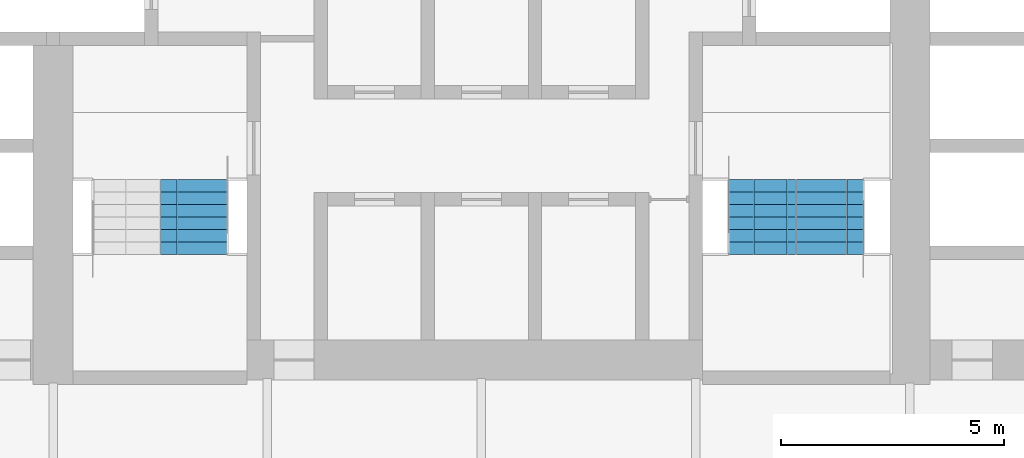
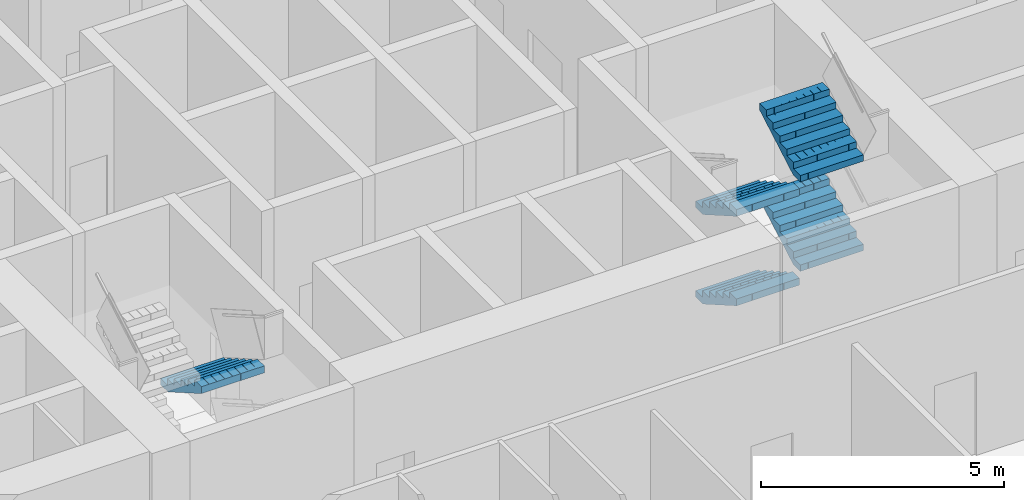
# One storey, part 21 of 27: 5 stair flights, 2 elements without a shape of their own.
"""IFC4 building model written with IfcOpenShell, lengths in metres."""

from ifc_helpers import new_model, si_unit, direction, frame, origin, place, context, subcontext, project, spatial, polyline, outline, extrude, material, type_object, element, aggregate, save


model = new_model("IFC4")

# Units and contexts
model_context = context("Model", 3, precision=1e-05, world=origin(), true_north=direction((0.0, 1.0)))
body_context = subcontext(model_context, "Body", "Model", "MODEL_VIEW")
ifc_project = project(units=[si_unit("LENGTHUNIT", "METRE"), si_unit("AREAUNIT", "SQUARE_METRE"), si_unit("VOLUMEUNIT", "CUBIC_METRE"), si_unit("PLANEANGLEUNIT", "RADIAN"), si_unit("MASSUNIT", "GRAM", prefix="KILO")], contexts=[model_context])

# Site, building, storey
site_placement = place(None, origin())
site = spatial("IfcSite", under=ifc_project, at=site_placement, CompositionType="ELEMENT")
building_placement = place(site_placement, origin())
building = spatial("IfcBuilding", under=site, at=building_placement, Name="Kolab Exchange Tower", CompositionType="ELEMENT")
storey_placement = place(building_placement, frame((0.0, 0.0, 109.39990234375)))
storey = spatial("IfcBuildingStorey", under=building, at=storey_placement, Name="L21", CompositionType="ELEMENT", Elevation=109.39990234375)

# Stair, stair flight
ifc_material = material(Name="Concrete C50/60", Category="concrete")
stair_type_1 = type_object("IfcStairType", Name="STAIR ST3 RISER 160.7", PredefinedType="DOUBLE_RETURN_STAIR", material=ifc_material)
stair_1_placement = place(storey_placement, origin())
stair_1 = element("IfcStair", 1, at=stair_1_placement, inside=storey, type_object=stair_type_1, Name="Stair 3", PredefinedType="DOUBLE_RETURN_STAIR")
stair_flight_type = type_object("IfcStairFlightType", Name="STAIR FLIGHT 1500 RISER 160.7", PredefinedType="STRAIGHT", material=ifc_material)
stair_flight_1_placement = place(storey_placement, frame((-6.43994140625, -5.550048828125, 2.25), z_axis=(0.0, 0.0, 1.0), x_axis=(0.0, -1.0, 0.0)))
stair_flight_1 = element("IfcStairFlight", 2, at=stair_flight_1_placement, type_object=stair_flight_type, Name="ST3 flight 3", NumberOfRisers=7, NumberOfTreads=6, PredefinedType="STRAIGHT", RiserHeight=0.160714286, TreadLength=0.28, context=body_context, shape_type="SweptSolid", body=[
    extrude(outline(polyline([(0.0, 0.0), (0.0, 0.16064453125), (0.280029296875, 0.16064453125), (0.280029296875, 0.321533203125), (0.56005859375, 0.321533203125), (0.56005859375, 0.482177734375), (0.840087890625, 0.482177734375), (0.840087890625, 0.642822265625), (1.1201171875, 0.642822265625), (1.1201171875, 0.803466796875), (1.39990234375, 0.803466796875), (1.39990234375, 0.96435546875), (1.679931640625, 0.96435546875), (1.679931640625, 1.125), (1.679931640625, 0.79150390625), (0.301025390625, 0.0), (0.0, 0.0)])), frame((0.0, 0.75, 0.0), z_axis=(0.0, -1.0, 0.0), x_axis=(1.0, 0.0, 0.0)), (0.0, 0.0, 1.0), 0.185791015625),
    extrude(outline(polyline([(0.0, 0.0), (0.0, 0.16064453125), (0.280029296875, 0.16064453125), (0.280029296875, 0.321533203125), (0.56005859375, 0.321533203125), (0.56005859375, 0.482177734375), (0.840087890625, 0.482177734375), (0.840087890625, 0.642822265625), (1.1201171875, 0.642822265625), (1.1201171875, 0.803466796875), (1.39990234375, 0.803466796875), (1.39990234375, 0.96435546875), (1.679931640625, 0.96435546875), (1.679931640625, 1.125), (1.679931640625, 0.79150390625), (0.301025390625, 0.0), (0.0, 0.0)])), frame((0.0, 0.562255859375, 0.0), z_axis=(0.0, -1.0, 0.0), x_axis=(1.0, 0.0, 0.0)), (0.0, 0.0, 1.0), 0.185791015625),
    extrude(outline(polyline([(0.0, 0.0), (0.0, 0.16064453125), (0.280029296875, 0.16064453125), (0.280029296875, 0.321533203125), (0.56005859375, 0.321533203125), (0.56005859375, 0.482177734375), (0.840087890625, 0.482177734375), (0.840087890625, 0.642822265625), (1.1201171875, 0.642822265625), (1.1201171875, 0.803466796875), (1.39990234375, 0.803466796875), (1.39990234375, 0.96435546875), (1.679931640625, 0.96435546875), (1.679931640625, 1.125), (1.679931640625, 0.79150390625), (0.301025390625, 0.0), (0.0, 0.0)])), frame((0.0, 0.37451171875, 0.0), z_axis=(0.0, -1.0, 0.0), x_axis=(1.0, 0.0, 0.0)), (0.0, 0.0, 1.0), 0.185791015625),
    extrude(outline(polyline([(0.0, 0.0), (0.0, 0.16064453125), (0.280029296875, 0.16064453125), (0.280029296875, 0.321533203125), (0.56005859375, 0.321533203125), (0.56005859375, 0.482177734375), (0.840087890625, 0.482177734375), (0.840087890625, 0.642822265625), (1.1201171875, 0.642822265625), (1.1201171875, 0.803466796875), (1.39990234375, 0.803466796875), (1.39990234375, 0.96435546875), (1.679931640625, 0.96435546875), (1.679931640625, 1.125), (1.679931640625, 0.79150390625), (0.301025390625, 0.0), (0.0, 0.0)])), frame((0.0, 0.186767578125, 0.0), z_axis=(0.0, -1.0, 0.0), x_axis=(1.0, 0.0, 0.0)), (0.0, 0.0, 1.0), 0.185791015625),
    extrude(outline(polyline([(0.0, 0.0), (0.0, 0.16064453125), (0.280029296875, 0.16064453125), (0.280029296875, 0.321533203125), (0.56005859375, 0.321533203125), (0.56005859375, 0.482177734375), (0.840087890625, 0.482177734375), (0.840087890625, 0.642822265625), (1.1201171875, 0.642822265625), (1.1201171875, 0.803466796875), (1.39990234375, 0.803466796875), (1.39990234375, 0.96435546875), (1.679931640625, 0.96435546875), (1.679931640625, 1.125), (1.679931640625, 0.79150390625), (0.301025390625, 0.0), (0.0, 0.0)])), frame((0.0, -0.0009765625, 0.0), z_axis=(0.0, -1.0, 0.0), x_axis=(1.0, 0.0, 0.0)), (0.0, 0.0, 1.0), 0.185791015625),
    extrude(outline(polyline([(0.0, 0.0), (0.0, 0.16064453125), (0.280029296875, 0.16064453125), (0.280029296875, 0.321533203125), (0.56005859375, 0.321533203125), (0.56005859375, 0.482177734375), (0.840087890625, 0.482177734375), (0.840087890625, 0.642822265625), (1.1201171875, 0.642822265625), (1.1201171875, 0.803466796875), (1.39990234375, 0.803466796875), (1.39990234375, 0.96435546875), (1.679931640625, 0.96435546875), (1.679931640625, 1.125), (1.679931640625, 0.79150390625), (0.301025390625, 0.0), (0.0, 0.0)])), frame((0.0, -0.188720703125, 0.0), z_axis=(0.0, -1.0, 0.0), x_axis=(1.0, 0.0, 0.0)), (0.0, 0.0, 1.0), 0.185791015625),
    extrude(outline(polyline([(0.0, 0.0), (0.0, 0.16064453125), (0.280029296875, 0.16064453125), (0.280029296875, 0.321533203125), (0.56005859375, 0.321533203125), (0.56005859375, 0.482177734375), (0.840087890625, 0.482177734375), (0.840087890625, 0.642822265625), (1.1201171875, 0.642822265625), (1.1201171875, 0.803466796875), (1.39990234375, 0.803466796875), (1.39990234375, 0.96435546875), (1.679931640625, 0.96435546875), (1.679931640625, 1.125), (1.679931640625, 0.79150390625), (0.301025390625, 0.0), (0.0, 0.0)])), frame((0.0, -0.37646484375, 0.0), z_axis=(0.0, -1.0, 0.0), x_axis=(1.0, 0.0, 0.0)), (0.0, 0.0, 1.0), 0.185791015625),
    extrude(outline(polyline([(0.0, 0.0), (0.0, 0.16064453125), (0.280029296875, 0.16064453125), (0.280029296875, 0.321533203125), (0.56005859375, 0.321533203125), (0.56005859375, 0.482177734375), (0.840087890625, 0.482177734375), (0.840087890625, 0.642822265625), (1.1201171875, 0.642822265625), (1.1201171875, 0.803466796875), (1.39990234375, 0.803466796875), (1.39990234375, 0.96435546875), (1.679931640625, 0.96435546875), (1.679931640625, 1.125), (1.679931640625, 0.79150390625), (0.301025390625, 0.0), (0.0, 0.0)])), frame((0.0, -0.564208984375, 0.0), z_axis=(0.0, -1.0, 0.0), x_axis=(1.0, 0.0, 0.0)), (0.0, 0.0, 1.0), 0.185791015625),
])
aggregate(stair_1, [stair_flight_1])

# Stair, stair flights
stair_type_2 = type_object("IfcStairType", Name="STAIR ST2 RISER 160.7", PredefinedType="DOUBLE_RETURN_STAIR", material=ifc_material)
stair_2_placement = place(storey_placement, origin())
stair_2 = element("IfcStair", 3, at=stair_2_placement, inside=storey, type_object=stair_type_2, Name="Stair 2", PredefinedType="DOUBLE_RETURN_STAIR")
stair_flight_2_placement = place(storey_placement, frame((6.2900390625, -5.550048828125, 0.0), z_axis=(0.0, 0.0, 1.0), x_axis=(0.0, -1.0, 0.0)))
stair_flight_2 = element("IfcStairFlight", 4, at=stair_flight_2_placement, type_object=stair_flight_type, Name="ST2 flight 1", NumberOfRisers=7, NumberOfTreads=6, PredefinedType="STRAIGHT", RiserHeight=0.160714286, TreadLength=0.28, context=body_context, shape_type="SweptSolid", body=[
    extrude(outline(polyline([(0.0, 0.0), (0.0, 0.16064453125), (0.280029296875, 0.16064453125), (0.280029296875, 0.321533203125), (0.56005859375, 0.321533203125), (0.56005859375, 0.482177734375), (0.840087890625, 0.482177734375), (0.840087890625, 0.642822265625), (1.1201171875, 0.642822265625), (1.1201171875, 0.803466796875), (1.39990234375, 0.803466796875), (1.39990234375, 0.96435546875), (1.679931640625, 0.96435546875), (1.679931640625, 1.125), (1.679931640625, 0.79150390625), (0.301025390625, 0.0), (0.0, 0.0)])), frame((0.0, 0.75, 0.0), z_axis=(0.0, -1.0, 0.0), x_axis=(1.0, 0.0, 0.0)), (0.0, 0.0, 1.0), 0.185791015625),
    extrude(outline(polyline([(0.0, 0.0), (0.0, 0.16064453125), (0.280029296875, 0.16064453125), (0.280029296875, 0.321533203125), (0.56005859375, 0.321533203125), (0.56005859375, 0.482177734375), (0.840087890625, 0.482177734375), (0.840087890625, 0.642822265625), (1.1201171875, 0.642822265625), (1.1201171875, 0.803466796875), (1.39990234375, 0.803466796875), (1.39990234375, 0.96435546875), (1.679931640625, 0.96435546875), (1.679931640625, 1.125), (1.679931640625, 0.79150390625), (0.301025390625, 0.0), (0.0, 0.0)])), frame((0.0, 0.562255859375, 0.0), z_axis=(0.0, -1.0, 0.0), x_axis=(1.0, 0.0, 0.0)), (0.0, 0.0, 1.0), 0.185791015625),
    extrude(outline(polyline([(0.0, 0.0), (0.0, 0.16064453125), (0.280029296875, 0.16064453125), (0.280029296875, 0.321533203125), (0.56005859375, 0.321533203125), (0.56005859375, 0.482177734375), (0.840087890625, 0.482177734375), (0.840087890625, 0.642822265625), (1.1201171875, 0.642822265625), (1.1201171875, 0.803466796875), (1.39990234375, 0.803466796875), (1.39990234375, 0.96435546875), (1.679931640625, 0.96435546875), (1.679931640625, 1.125), (1.679931640625, 0.79150390625), (0.301025390625, 0.0), (0.0, 0.0)])), frame((0.0, 0.37451171875, 0.0), z_axis=(0.0, -1.0, 0.0), x_axis=(1.0, 0.0, 0.0)), (0.0, 0.0, 1.0), 0.185791015625),
    extrude(outline(polyline([(0.0, 0.0), (0.0, 0.16064453125), (0.280029296875, 0.16064453125), (0.280029296875, 0.321533203125), (0.56005859375, 0.321533203125), (0.56005859375, 0.482177734375), (0.840087890625, 0.482177734375), (0.840087890625, 0.642822265625), (1.1201171875, 0.642822265625), (1.1201171875, 0.803466796875), (1.39990234375, 0.803466796875), (1.39990234375, 0.96435546875), (1.679931640625, 0.96435546875), (1.679931640625, 1.125), (1.679931640625, 0.79150390625), (0.301025390625, 0.0), (0.0, 0.0)])), frame((0.0, 0.186767578125, 0.0), z_axis=(0.0, -1.0, 0.0), x_axis=(1.0, 0.0, 0.0)), (0.0, 0.0, 1.0), 0.185791015625),
    extrude(outline(polyline([(0.0, 0.0), (0.0, 0.16064453125), (0.280029296875, 0.16064453125), (0.280029296875, 0.321533203125), (0.56005859375, 0.321533203125), (0.56005859375, 0.482177734375), (0.840087890625, 0.482177734375), (0.840087890625, 0.642822265625), (1.1201171875, 0.642822265625), (1.1201171875, 0.803466796875), (1.39990234375, 0.803466796875), (1.39990234375, 0.96435546875), (1.679931640625, 0.96435546875), (1.679931640625, 1.125), (1.679931640625, 0.79150390625), (0.301025390625, 0.0), (0.0, 0.0)])), frame((0.0, -0.0009765625, 0.0), z_axis=(0.0, -1.0, 0.0), x_axis=(1.0, 0.0, 0.0)), (0.0, 0.0, 1.0), 0.185791015625),
    extrude(outline(polyline([(0.0, 0.0), (0.0, 0.16064453125), (0.280029296875, 0.16064453125), (0.280029296875, 0.321533203125), (0.56005859375, 0.321533203125), (0.56005859375, 0.482177734375), (0.840087890625, 0.482177734375), (0.840087890625, 0.642822265625), (1.1201171875, 0.642822265625), (1.1201171875, 0.803466796875), (1.39990234375, 0.803466796875), (1.39990234375, 0.96435546875), (1.679931640625, 0.96435546875), (1.679931640625, 1.125), (1.679931640625, 0.79150390625), (0.301025390625, 0.0), (0.0, 0.0)])), frame((0.0, -0.188720703125, 0.0), z_axis=(0.0, -1.0, 0.0), x_axis=(1.0, 0.0, 0.0)), (0.0, 0.0, 1.0), 0.185791015625),
    extrude(outline(polyline([(0.0, 0.0), (0.0, 0.16064453125), (0.280029296875, 0.16064453125), (0.280029296875, 0.321533203125), (0.56005859375, 0.321533203125), (0.56005859375, 0.482177734375), (0.840087890625, 0.482177734375), (0.840087890625, 0.642822265625), (1.1201171875, 0.642822265625), (1.1201171875, 0.803466796875), (1.39990234375, 0.803466796875), (1.39990234375, 0.96435546875), (1.679931640625, 0.96435546875), (1.679931640625, 1.125), (1.679931640625, 0.79150390625), (0.301025390625, 0.0), (0.0, 0.0)])), frame((0.0, -0.37646484375, 0.0), z_axis=(0.0, -1.0, 0.0), x_axis=(1.0, 0.0, 0.0)), (0.0, 0.0, 1.0), 0.185791015625),
    extrude(outline(polyline([(0.0, 0.0), (0.0, 0.16064453125), (0.280029296875, 0.16064453125), (0.280029296875, 0.321533203125), (0.56005859375, 0.321533203125), (0.56005859375, 0.482177734375), (0.840087890625, 0.482177734375), (0.840087890625, 0.642822265625), (1.1201171875, 0.642822265625), (1.1201171875, 0.803466796875), (1.39990234375, 0.803466796875), (1.39990234375, 0.96435546875), (1.679931640625, 0.96435546875), (1.679931640625, 1.125), (1.679931640625, 0.79150390625), (0.301025390625, 0.0), (0.0, 0.0)])), frame((0.0, -0.564208984375, 0.0), z_axis=(0.0, -1.0, 0.0), x_axis=(1.0, 0.0, 0.0)), (0.0, 0.0, 1.0), 0.185791015625),
])
stair_flight_3_placement = place(storey_placement, frame((7.81005859375, -7.22998046875, 1.125), z_axis=(0.0, 0.0, 1.0), x_axis=(0.0, 1.0, 0.0)))
stair_flight_3 = element("IfcStairFlight", 5, at=stair_flight_3_placement, type_object=stair_flight_type, Name="ST2 flight 2", NumberOfRisers=7, NumberOfTreads=6, PredefinedType="STRAIGHT", RiserHeight=0.160714286, TreadLength=0.28, context=body_context, shape_type="SweptSolid", body=[
    extrude(outline(polyline([(0.0, 0.0), (0.0, 0.16064453125), (0.280029296875, 0.16064453125), (0.280029296875, 0.321533203125), (0.56005859375, 0.321533203125), (0.56005859375, 0.482177734375), (0.840087890625, 0.482177734375), (0.840087890625, 0.642822265625), (1.1201171875, 0.642822265625), (1.1201171875, 0.803466796875), (1.39990234375, 0.803466796875), (1.39990234375, 0.96435546875), (1.679931640625, 0.96435546875), (1.679931640625, 1.125), (1.679931640625, 0.79150390625), (0.301025390625, 0.0), (0.0, 0.0)])), frame((0.0, 0.75, 0.0), z_axis=(0.0, -1.0, 0.0), x_axis=(1.0, 0.0, 0.0)), (0.0, 0.0, 1.0), 0.185791015625),
    extrude(outline(polyline([(0.0, 0.0), (0.0, 0.16064453125), (0.280029296875, 0.16064453125), (0.280029296875, 0.321533203125), (0.56005859375, 0.321533203125), (0.56005859375, 0.482177734375), (0.840087890625, 0.482177734375), (0.840087890625, 0.642822265625), (1.1201171875, 0.642822265625), (1.1201171875, 0.803466796875), (1.39990234375, 0.803466796875), (1.39990234375, 0.96435546875), (1.679931640625, 0.96435546875), (1.679931640625, 1.125), (1.679931640625, 0.79150390625), (0.301025390625, 0.0), (0.0, 0.0)])), frame((0.0, 0.562255859375, 0.0), z_axis=(0.0, -1.0, 0.0), x_axis=(1.0, 0.0, 0.0)), (0.0, 0.0, 1.0), 0.185791015625),
    extrude(outline(polyline([(0.0, 0.0), (0.0, 0.16064453125), (0.280029296875, 0.16064453125), (0.280029296875, 0.321533203125), (0.56005859375, 0.321533203125), (0.56005859375, 0.482177734375), (0.840087890625, 0.482177734375), (0.840087890625, 0.642822265625), (1.1201171875, 0.642822265625), (1.1201171875, 0.803466796875), (1.39990234375, 0.803466796875), (1.39990234375, 0.96435546875), (1.679931640625, 0.96435546875), (1.679931640625, 1.125), (1.679931640625, 0.79150390625), (0.301025390625, 0.0), (0.0, 0.0)])), frame((0.0, 0.37451171875, 0.0), z_axis=(0.0, -1.0, 0.0), x_axis=(1.0, 0.0, 0.0)), (0.0, 0.0, 1.0), 0.185791015625),
    extrude(outline(polyline([(0.0, 0.0), (0.0, 0.16064453125), (0.280029296875, 0.16064453125), (0.280029296875, 0.321533203125), (0.56005859375, 0.321533203125), (0.56005859375, 0.482177734375), (0.840087890625, 0.482177734375), (0.840087890625, 0.642822265625), (1.1201171875, 0.642822265625), (1.1201171875, 0.803466796875), (1.39990234375, 0.803466796875), (1.39990234375, 0.96435546875), (1.679931640625, 0.96435546875), (1.679931640625, 1.125), (1.679931640625, 0.79150390625), (0.301025390625, 0.0), (0.0, 0.0)])), frame((0.0, 0.186767578125, 0.0), z_axis=(0.0, -1.0, 0.0), x_axis=(1.0, 0.0, 0.0)), (0.0, 0.0, 1.0), 0.185791015625),
    extrude(outline(polyline([(0.0, 0.0), (0.0, 0.16064453125), (0.280029296875, 0.16064453125), (0.280029296875, 0.321533203125), (0.56005859375, 0.321533203125), (0.56005859375, 0.482177734375), (0.840087890625, 0.482177734375), (0.840087890625, 0.642822265625), (1.1201171875, 0.642822265625), (1.1201171875, 0.803466796875), (1.39990234375, 0.803466796875), (1.39990234375, 0.96435546875), (1.679931640625, 0.96435546875), (1.679931640625, 1.125), (1.679931640625, 0.79150390625), (0.301025390625, 0.0), (0.0, 0.0)])), frame((0.0, -0.0009765625, 0.0), z_axis=(0.0, -1.0, 0.0), x_axis=(1.0, 0.0, 0.0)), (0.0, 0.0, 1.0), 0.185791015625),
    extrude(outline(polyline([(0.0, 0.0), (0.0, 0.16064453125), (0.280029296875, 0.16064453125), (0.280029296875, 0.321533203125), (0.56005859375, 0.321533203125), (0.56005859375, 0.482177734375), (0.840087890625, 0.482177734375), (0.840087890625, 0.642822265625), (1.1201171875, 0.642822265625), (1.1201171875, 0.803466796875), (1.39990234375, 0.803466796875), (1.39990234375, 0.96435546875), (1.679931640625, 0.96435546875), (1.679931640625, 1.125), (1.679931640625, 0.79150390625), (0.301025390625, 0.0), (0.0, 0.0)])), frame((0.0, -0.188720703125, 0.0), z_axis=(0.0, -1.0, 0.0), x_axis=(1.0, 0.0, 0.0)), (0.0, 0.0, 1.0), 0.185791015625),
    extrude(outline(polyline([(0.0, 0.0), (0.0, 0.16064453125), (0.280029296875, 0.16064453125), (0.280029296875, 0.321533203125), (0.56005859375, 0.321533203125), (0.56005859375, 0.482177734375), (0.840087890625, 0.482177734375), (0.840087890625, 0.642822265625), (1.1201171875, 0.642822265625), (1.1201171875, 0.803466796875), (1.39990234375, 0.803466796875), (1.39990234375, 0.96435546875), (1.679931640625, 0.96435546875), (1.679931640625, 1.125), (1.679931640625, 0.79150390625), (0.301025390625, 0.0), (0.0, 0.0)])), frame((0.0, -0.37646484375, 0.0), z_axis=(0.0, -1.0, 0.0), x_axis=(1.0, 0.0, 0.0)), (0.0, 0.0, 1.0), 0.185791015625),
    extrude(outline(polyline([(0.0, 0.0), (0.0, 0.16064453125), (0.280029296875, 0.16064453125), (0.280029296875, 0.321533203125), (0.56005859375, 0.321533203125), (0.56005859375, 0.482177734375), (0.840087890625, 0.482177734375), (0.840087890625, 0.642822265625), (1.1201171875, 0.642822265625), (1.1201171875, 0.803466796875), (1.39990234375, 0.803466796875), (1.39990234375, 0.96435546875), (1.679931640625, 0.96435546875), (1.679931640625, 1.125), (1.679931640625, 0.79150390625), (0.301025390625, 0.0), (0.0, 0.0)])), frame((0.0, -0.564208984375, 0.0), z_axis=(0.0, -1.0, 0.0), x_axis=(1.0, 0.0, 0.0)), (0.0, 0.0, 1.0), 0.185791015625),
])
stair_flight_4_placement = place(storey_placement, frame((6.2900390625, -5.550048828125, 2.25), z_axis=(0.0, 0.0, 1.0), x_axis=(0.0, -1.0, 0.0)))
stair_flight_4 = element("IfcStairFlight", 6, at=stair_flight_4_placement, type_object=stair_flight_type, Name="ST2 flight 3", NumberOfRisers=7, NumberOfTreads=6, PredefinedType="STRAIGHT", RiserHeight=0.160714286, TreadLength=0.28, context=body_context, shape_type="SweptSolid", body=[
    extrude(outline(polyline([(0.0, 0.0), (0.0, 0.16064453125), (0.280029296875, 0.16064453125), (0.280029296875, 0.321533203125), (0.56005859375, 0.321533203125), (0.56005859375, 0.482177734375), (0.840087890625, 0.482177734375), (0.840087890625, 0.642822265625), (1.1201171875, 0.642822265625), (1.1201171875, 0.803466796875), (1.39990234375, 0.803466796875), (1.39990234375, 0.96435546875), (1.679931640625, 0.96435546875), (1.679931640625, 1.125), (1.679931640625, 0.79150390625), (0.301025390625, 0.0), (0.0, 0.0)])), frame((0.0, 0.75, 0.0), z_axis=(0.0, -1.0, 0.0), x_axis=(1.0, 0.0, 0.0)), (0.0, 0.0, 1.0), 0.185791015625),
    extrude(outline(polyline([(0.0, 0.0), (0.0, 0.16064453125), (0.280029296875, 0.16064453125), (0.280029296875, 0.321533203125), (0.56005859375, 0.321533203125), (0.56005859375, 0.482177734375), (0.840087890625, 0.482177734375), (0.840087890625, 0.642822265625), (1.1201171875, 0.642822265625), (1.1201171875, 0.803466796875), (1.39990234375, 0.803466796875), (1.39990234375, 0.96435546875), (1.679931640625, 0.96435546875), (1.679931640625, 1.125), (1.679931640625, 0.79150390625), (0.301025390625, 0.0), (0.0, 0.0)])), frame((0.0, 0.562255859375, 0.0), z_axis=(0.0, -1.0, 0.0), x_axis=(1.0, 0.0, 0.0)), (0.0, 0.0, 1.0), 0.185791015625),
    extrude(outline(polyline([(0.0, 0.0), (0.0, 0.16064453125), (0.280029296875, 0.16064453125), (0.280029296875, 0.321533203125), (0.56005859375, 0.321533203125), (0.56005859375, 0.482177734375), (0.840087890625, 0.482177734375), (0.840087890625, 0.642822265625), (1.1201171875, 0.642822265625), (1.1201171875, 0.803466796875), (1.39990234375, 0.803466796875), (1.39990234375, 0.96435546875), (1.679931640625, 0.96435546875), (1.679931640625, 1.125), (1.679931640625, 0.79150390625), (0.301025390625, 0.0), (0.0, 0.0)])), frame((0.0, 0.37451171875, 0.0), z_axis=(0.0, -1.0, 0.0), x_axis=(1.0, 0.0, 0.0)), (0.0, 0.0, 1.0), 0.185791015625),
    extrude(outline(polyline([(0.0, 0.0), (0.0, 0.16064453125), (0.280029296875, 0.16064453125), (0.280029296875, 0.321533203125), (0.56005859375, 0.321533203125), (0.56005859375, 0.482177734375), (0.840087890625, 0.482177734375), (0.840087890625, 0.642822265625), (1.1201171875, 0.642822265625), (1.1201171875, 0.803466796875), (1.39990234375, 0.803466796875), (1.39990234375, 0.96435546875), (1.679931640625, 0.96435546875), (1.679931640625, 1.125), (1.679931640625, 0.79150390625), (0.301025390625, 0.0), (0.0, 0.0)])), frame((0.0, 0.186767578125, 0.0), z_axis=(0.0, -1.0, 0.0), x_axis=(1.0, 0.0, 0.0)), (0.0, 0.0, 1.0), 0.185791015625),
    extrude(outline(polyline([(0.0, 0.0), (0.0, 0.16064453125), (0.280029296875, 0.16064453125), (0.280029296875, 0.321533203125), (0.56005859375, 0.321533203125), (0.56005859375, 0.482177734375), (0.840087890625, 0.482177734375), (0.840087890625, 0.642822265625), (1.1201171875, 0.642822265625), (1.1201171875, 0.803466796875), (1.39990234375, 0.803466796875), (1.39990234375, 0.96435546875), (1.679931640625, 0.96435546875), (1.679931640625, 1.125), (1.679931640625, 0.79150390625), (0.301025390625, 0.0), (0.0, 0.0)])), frame((0.0, -0.0009765625, 0.0), z_axis=(0.0, -1.0, 0.0), x_axis=(1.0, 0.0, 0.0)), (0.0, 0.0, 1.0), 0.185791015625),
    extrude(outline(polyline([(0.0, 0.0), (0.0, 0.16064453125), (0.280029296875, 0.16064453125), (0.280029296875, 0.321533203125), (0.56005859375, 0.321533203125), (0.56005859375, 0.482177734375), (0.840087890625, 0.482177734375), (0.840087890625, 0.642822265625), (1.1201171875, 0.642822265625), (1.1201171875, 0.803466796875), (1.39990234375, 0.803466796875), (1.39990234375, 0.96435546875), (1.679931640625, 0.96435546875), (1.679931640625, 1.125), (1.679931640625, 0.79150390625), (0.301025390625, 0.0), (0.0, 0.0)])), frame((0.0, -0.188720703125, 0.0), z_axis=(0.0, -1.0, 0.0), x_axis=(1.0, 0.0, 0.0)), (0.0, 0.0, 1.0), 0.185791015625),
    extrude(outline(polyline([(0.0, 0.0), (0.0, 0.16064453125), (0.280029296875, 0.16064453125), (0.280029296875, 0.321533203125), (0.56005859375, 0.321533203125), (0.56005859375, 0.482177734375), (0.840087890625, 0.482177734375), (0.840087890625, 0.642822265625), (1.1201171875, 0.642822265625), (1.1201171875, 0.803466796875), (1.39990234375, 0.803466796875), (1.39990234375, 0.96435546875), (1.679931640625, 0.96435546875), (1.679931640625, 1.125), (1.679931640625, 0.79150390625), (0.301025390625, 0.0), (0.0, 0.0)])), frame((0.0, -0.37646484375, 0.0), z_axis=(0.0, -1.0, 0.0), x_axis=(1.0, 0.0, 0.0)), (0.0, 0.0, 1.0), 0.185791015625),
    extrude(outline(polyline([(0.0, 0.0), (0.0, 0.16064453125), (0.280029296875, 0.16064453125), (0.280029296875, 0.321533203125), (0.56005859375, 0.321533203125), (0.56005859375, 0.482177734375), (0.840087890625, 0.482177734375), (0.840087890625, 0.642822265625), (1.1201171875, 0.642822265625), (1.1201171875, 0.803466796875), (1.39990234375, 0.803466796875), (1.39990234375, 0.96435546875), (1.679931640625, 0.96435546875), (1.679931640625, 1.125), (1.679931640625, 0.79150390625), (0.301025390625, 0.0), (0.0, 0.0)])), frame((0.0, -0.564208984375, 0.0), z_axis=(0.0, -1.0, 0.0), x_axis=(1.0, 0.0, 0.0)), (0.0, 0.0, 1.0), 0.185791015625),
])
stair_flight_5_placement = place(storey_placement, frame((7.81005859375, -7.22998046875, 3.375), z_axis=(0.0, 0.0, 1.0), x_axis=(0.0, 1.0, 0.0)))
stair_flight_5 = element("IfcStairFlight", 7, at=stair_flight_5_placement, type_object=stair_flight_type, Name="ST2 flight 4", NumberOfRisers=7, NumberOfTreads=6, PredefinedType="STRAIGHT", RiserHeight=0.160714286, TreadLength=0.28, context=body_context, shape_type="SweptSolid", body=[
    extrude(outline(polyline([(0.0, 0.0), (0.0, 0.16064453125), (0.280029296875, 0.16064453125), (0.280029296875, 0.321533203125), (0.56005859375, 0.321533203125), (0.56005859375, 0.482177734375), (0.840087890625, 0.482177734375), (0.840087890625, 0.642822265625), (1.1201171875, 0.642822265625), (1.1201171875, 0.803466796875), (1.39990234375, 0.803466796875), (1.39990234375, 0.96435546875), (1.679931640625, 0.96435546875), (1.679931640625, 1.125), (1.679931640625, 0.79150390625), (0.301025390625, 0.0), (0.0, 0.0)])), frame((0.0, 0.75, 0.0), z_axis=(0.0, -1.0, 0.0), x_axis=(1.0, 0.0, 0.0)), (0.0, 0.0, 1.0), 0.185791015625),
    extrude(outline(polyline([(0.0, 0.0), (0.0, 0.16064453125), (0.280029296875, 0.16064453125), (0.280029296875, 0.321533203125), (0.56005859375, 0.321533203125), (0.56005859375, 0.482177734375), (0.840087890625, 0.482177734375), (0.840087890625, 0.642822265625), (1.1201171875, 0.642822265625), (1.1201171875, 0.803466796875), (1.39990234375, 0.803466796875), (1.39990234375, 0.96435546875), (1.679931640625, 0.96435546875), (1.679931640625, 1.125), (1.679931640625, 0.79150390625), (0.301025390625, 0.0), (0.0, 0.0)])), frame((0.0, 0.562255859375, 0.0), z_axis=(0.0, -1.0, 0.0), x_axis=(1.0, 0.0, 0.0)), (0.0, 0.0, 1.0), 0.185791015625),
    extrude(outline(polyline([(0.0, 0.0), (0.0, 0.16064453125), (0.280029296875, 0.16064453125), (0.280029296875, 0.321533203125), (0.56005859375, 0.321533203125), (0.56005859375, 0.482177734375), (0.840087890625, 0.482177734375), (0.840087890625, 0.642822265625), (1.1201171875, 0.642822265625), (1.1201171875, 0.803466796875), (1.39990234375, 0.803466796875), (1.39990234375, 0.96435546875), (1.679931640625, 0.96435546875), (1.679931640625, 1.125), (1.679931640625, 0.79150390625), (0.301025390625, 0.0), (0.0, 0.0)])), frame((0.0, 0.37451171875, 0.0), z_axis=(0.0, -1.0, 0.0), x_axis=(1.0, 0.0, 0.0)), (0.0, 0.0, 1.0), 0.185791015625),
    extrude(outline(polyline([(0.0, 0.0), (0.0, 0.16064453125), (0.280029296875, 0.16064453125), (0.280029296875, 0.321533203125), (0.56005859375, 0.321533203125), (0.56005859375, 0.482177734375), (0.840087890625, 0.482177734375), (0.840087890625, 0.642822265625), (1.1201171875, 0.642822265625), (1.1201171875, 0.803466796875), (1.39990234375, 0.803466796875), (1.39990234375, 0.96435546875), (1.679931640625, 0.96435546875), (1.679931640625, 1.125), (1.679931640625, 0.79150390625), (0.301025390625, 0.0), (0.0, 0.0)])), frame((0.0, 0.186767578125, 0.0), z_axis=(0.0, -1.0, 0.0), x_axis=(1.0, 0.0, 0.0)), (0.0, 0.0, 1.0), 0.185791015625),
    extrude(outline(polyline([(0.0, 0.0), (0.0, 0.16064453125), (0.280029296875, 0.16064453125), (0.280029296875, 0.321533203125), (0.56005859375, 0.321533203125), (0.56005859375, 0.482177734375), (0.840087890625, 0.482177734375), (0.840087890625, 0.642822265625), (1.1201171875, 0.642822265625), (1.1201171875, 0.803466796875), (1.39990234375, 0.803466796875), (1.39990234375, 0.96435546875), (1.679931640625, 0.96435546875), (1.679931640625, 1.125), (1.679931640625, 0.79150390625), (0.301025390625, 0.0), (0.0, 0.0)])), frame((0.0, -0.0009765625, 0.0), z_axis=(0.0, -1.0, 0.0), x_axis=(1.0, 0.0, 0.0)), (0.0, 0.0, 1.0), 0.185791015625),
    extrude(outline(polyline([(0.0, 0.0), (0.0, 0.16064453125), (0.280029296875, 0.16064453125), (0.280029296875, 0.321533203125), (0.56005859375, 0.321533203125), (0.56005859375, 0.482177734375), (0.840087890625, 0.482177734375), (0.840087890625, 0.642822265625), (1.1201171875, 0.642822265625), (1.1201171875, 0.803466796875), (1.39990234375, 0.803466796875), (1.39990234375, 0.96435546875), (1.679931640625, 0.96435546875), (1.679931640625, 1.125), (1.679931640625, 0.79150390625), (0.301025390625, 0.0), (0.0, 0.0)])), frame((0.0, -0.188720703125, 0.0), z_axis=(0.0, -1.0, 0.0), x_axis=(1.0, 0.0, 0.0)), (0.0, 0.0, 1.0), 0.185791015625),
    extrude(outline(polyline([(0.0, 0.0), (0.0, 0.16064453125), (0.280029296875, 0.16064453125), (0.280029296875, 0.321533203125), (0.56005859375, 0.321533203125), (0.56005859375, 0.482177734375), (0.840087890625, 0.482177734375), (0.840087890625, 0.642822265625), (1.1201171875, 0.642822265625), (1.1201171875, 0.803466796875), (1.39990234375, 0.803466796875), (1.39990234375, 0.96435546875), (1.679931640625, 0.96435546875), (1.679931640625, 1.125), (1.679931640625, 0.79150390625), (0.301025390625, 0.0), (0.0, 0.0)])), frame((0.0, -0.37646484375, 0.0), z_axis=(0.0, -1.0, 0.0), x_axis=(1.0, 0.0, 0.0)), (0.0, 0.0, 1.0), 0.185791015625),
    extrude(outline(polyline([(0.0, 0.0), (0.0, 0.16064453125), (0.280029296875, 0.16064453125), (0.280029296875, 0.321533203125), (0.56005859375, 0.321533203125), (0.56005859375, 0.482177734375), (0.840087890625, 0.482177734375), (0.840087890625, 0.642822265625), (1.1201171875, 0.642822265625), (1.1201171875, 0.803466796875), (1.39990234375, 0.803466796875), (1.39990234375, 0.96435546875), (1.679931640625, 0.96435546875), (1.679931640625, 1.125), (1.679931640625, 0.79150390625), (0.301025390625, 0.0), (0.0, 0.0)])), frame((0.0, -0.564208984375, 0.0), z_axis=(0.0, -1.0, 0.0), x_axis=(1.0, 0.0, 0.0)), (0.0, 0.0, 1.0), 0.185791015625),
])
aggregate(stair_2, [stair_flight_2, stair_flight_3, stair_flight_4, stair_flight_5])

save(model, "model.ifc")
